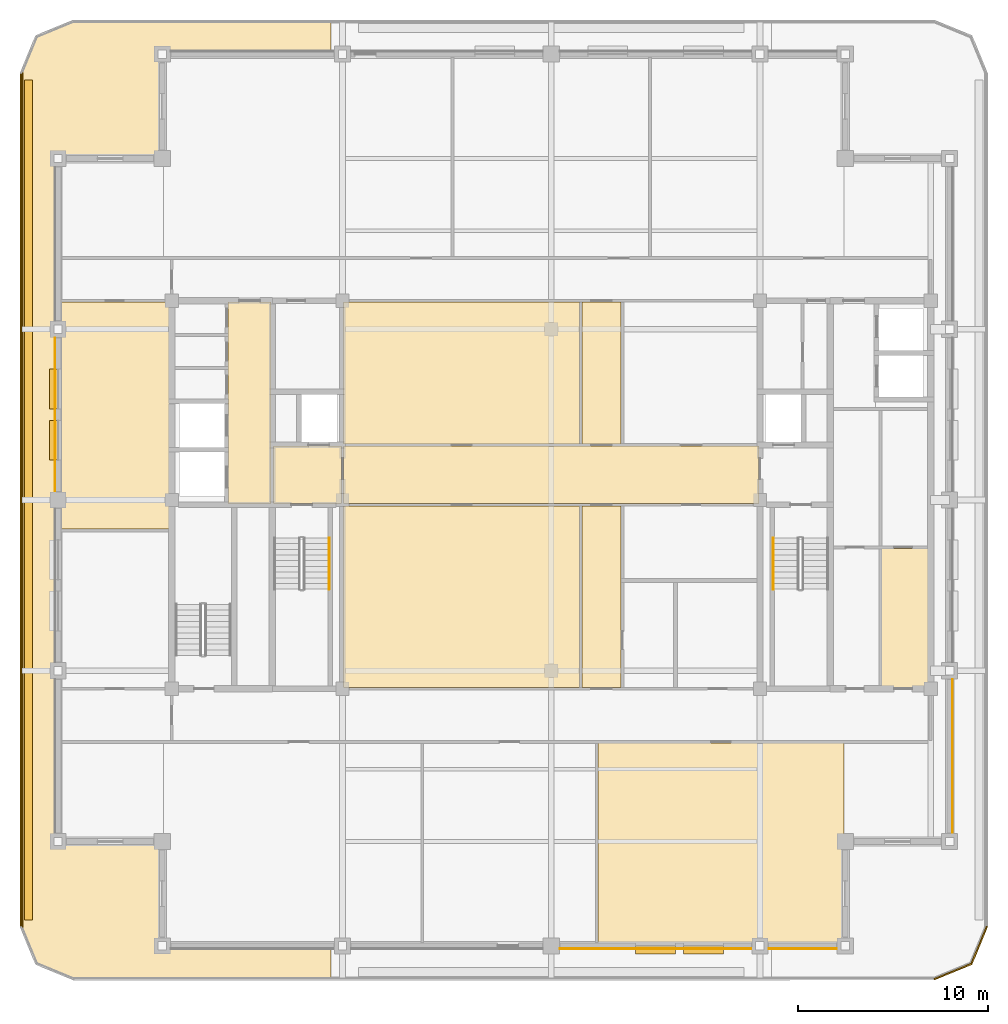
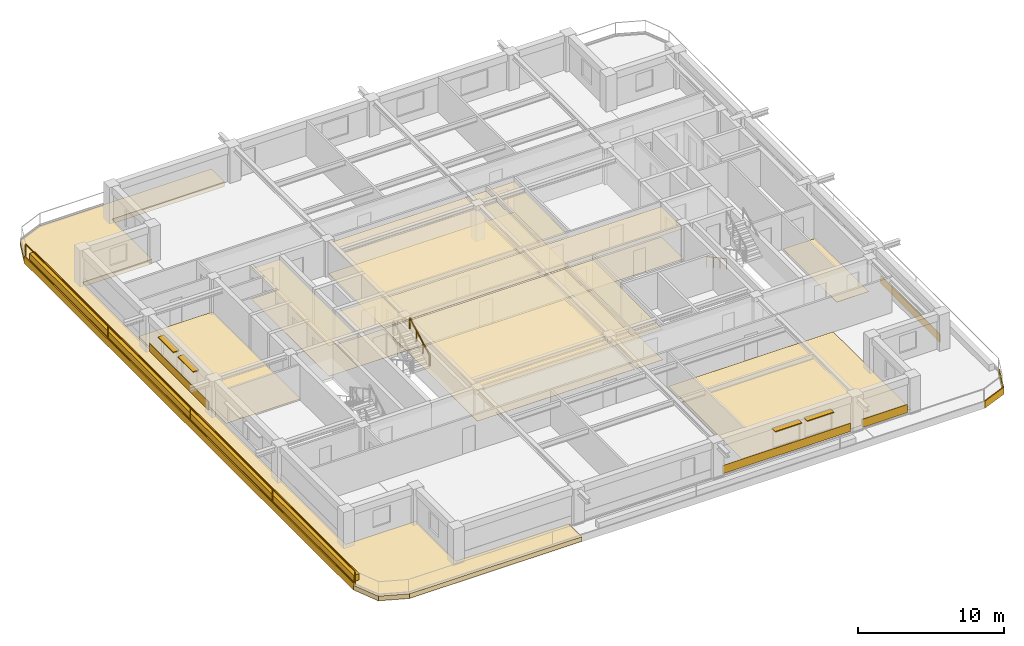
# One storey, part 9 of 11: 26 coverings, 4 shading devices, 3 railings.
"""IFC4 building model written with IfcOpenShell, lengths in metres."""

from ifc_helpers import new_model, si_unit, direction, frame, frame_2d, origin, origin_2d, place, context, subcontext, project, spatial, polyline, rectangle, outline, extrude, material, layer, layer_set, type_object, element, save


model = new_model("IFC4")

# Units and contexts
model_context = context("Model", 3, precision=1e-05, world=origin(), true_north=direction((0.0, 1.0)))
body_context = subcontext(model_context, "Body", "Model", "MODEL_VIEW")
ifc_project = project(units=[si_unit("LENGTHUNIT", "METRE"), si_unit("AREAUNIT", "SQUARE_METRE"), si_unit("VOLUMEUNIT", "CUBIC_METRE"), si_unit("PLANEANGLEUNIT", "RADIAN"), si_unit("MASSUNIT", "GRAM", prefix="KILO")], contexts=[model_context])

# Site, building, storey
site_placement = place(None, origin())
site = spatial("IfcSite", under=ifc_project, at=site_placement, CompositionType="ELEMENT")
building_placement = place(site_placement, origin())
building = spatial("IfcBuilding", under=site, at=building_placement, Name="Zulmaris Gate Convention Tower", CompositionType="ELEMENT")
storey_placement = place(building_placement, frame((0.0, 0.0, 257.659912109375)))
storey = spatial("IfcBuildingStorey", under=building, at=storey_placement, Name="L68", CompositionType="ELEMENT", Elevation=257.659912109375)

# Coverings
ifc_material_1 = material(Name="Precast concrete C40/50", Category="concrete")
ifc_layer_1 = layer(ifc_material_1, 0.0400390625, Name="Precast concrete C40/50")
ifc_layer_set_1 = layer_set([ifc_layer_1], Name="Precast concrete C40/50")
covering_type_1 = type_object("IfcCoveringType", Name="CLAD-SPANDREL-PRECAST", PredefinedType="CLADDING", material=ifc_layer_set_1)
covering_1_placement = place(storey_placement, frame((0.455078125, -23.64990234375, 0.0), z_axis=(0.0, 0.0, 1.0), x_axis=(1.0, 0.0, 0.0)))
element("IfcCovering", 1, at=covering_1_placement, inside=storey, type_object=covering_type_1, Name="CLD-L68-S-2_0", PredefinedType="CLADDING", context=body_context, shape_type="SweptSolid", body=[
    extrude(rectangle(XDim=10.08984375, YDim=0.0400390625, at=frame_2d((5.044921875, 0.0))), origin(), (0.0, 0.0, 1.0), 0.679931640625),
])
covering_2_placement = place(storey_placement, frame((11.455078125, -23.64990234375, 0.0), z_axis=(0.0, 0.0, 1.0), x_axis=(1.0, 0.0, 0.0)))
element("IfcCovering", 2, at=covering_2_placement, inside=storey, type_object=covering_type_1, Name="CLD-L68-S-3_0", PredefinedType="CLADDING", context=body_context, shape_type="SweptSolid", body=[
    extrude(rectangle(XDim=3.58984375, YDim=0.0400390625, at=frame_2d((1.794921875, 0.0))), origin(), (0.0, 0.0, 1.0), 0.679931640625),
])
for number, where, z_axis, x_axis, name in (
    (3, (21.14990234375, -17.544921875, 0.0), (0.0, 0.0, 1.0), (0.0, 1.0, 0.0), "CLD-L68-E-0_0"),
    (4, (-26.14990234375, 8.544921875, 0.0), (0.0, 0.0, 1.0), (0.0, -1.0, 0.0), "CLD-L68-W-2_0"),
):
    element("IfcCovering", number, at=place(storey_placement, frame(where, z_axis=z_axis, x_axis=x_axis)), inside=storey, type_object=covering_type_1, Name=name, PredefinedType="CLADDING", context=body_context, shape_type="SweptSolid", body=[
        extrude(rectangle(XDim=8.08984375, YDim=0.0400390625, at=frame_2d((4.044921875, 0.0))), origin(), (0.0, 0.0, 1.0), 0.679931640625),
    ])
ifc_material_2 = material(Name="White Glazed Architectural Precast Concrete C40/50", Category="concrete")
ifc_layer_2 = layer(ifc_material_2, 0.239990234375, Name="White Glazed Architectural Precast Concrete C40/50")
ifc_layer_set_2 = layer_set([ifc_layer_2], Name="White Glazed Architectural Precast Concrete C40/50")
covering_type_2 = type_object("IfcCoveringType", Name="CLAD-TRAY-DECK", PredefinedType="CLADDING", material=ifc_layer_set_2)
covering_3_placement = place(storey_placement, frame((0.0, 0.0, -0.425048828125)))
element("IfcCovering", 5, at=covering_3_placement, inside=storey, type_object=covering_type_2, Name="L68 West Rounded-Fascia Planter Tray Deck", PredefinedType="CLADDING", context=body_context, shape_type="SweptSolid", body=[
    extrude(outline(polyline([(-28.0, 22.5), (-27.179931640625, 24.47998046875), (-25.199951171875, 25.300048828125), (-11.60205078125, 25.300048828125), (-11.60205078125, 23.5), (-20.5, 23.5), (-20.5, 18.0), (-26.0, 18.0), (-26.0, -18.0), (-20.5, -18.0), (-20.5, -23.5), (-11.60205078125, -23.5), (-11.60205078125, -25.300048828125), (-25.199951171875, -25.300048828125), (-27.179931640625, -24.47998046875), (-28.0, -22.5), (-28.0, 22.5)])), origin(), (0.0, 0.0, 1.0), 0.385009765625),
])
ifc_layer_3 = layer(ifc_material_2, 0.080078125, Name="White Glazed Architectural Precast Concrete C40/50")
ifc_layer_set_3 = layer_set([ifc_layer_3], Name="White Glazed Architectural Precast Concrete C40/50")
covering_type_3 = type_object("IfcCoveringType", Name="CLAD-TRAY-FASCIA", PredefinedType="CLADDING", material=ifc_layer_set_3)
covering_4_placement = place(storey_placement, frame((20.184814453125, -25.262939453125, -0.465087890625), z_axis=(0.0, 0.0, 1.0), x_axis=(0.923873803533, 0.382697263049, 0.0)))
element("IfcCovering", 6, at=covering_4_placement, inside=storey, type_object=covering_type_3, Name="FSC-L68-TR-03", PredefinedType="CLADDING", context=body_context, shape_type="SweptSolid", body=[
    extrude(rectangle(XDim=2.142822265625, YDim=0.080078125, at=frame_2d((1.0712890625, 0.0))), origin(), (0.0, 0.0, 1.0), 0.5849609375),
])
covering_5_placement = place(storey_placement, frame((22.142822265625, -24.464599609375, -0.465087890625), z_axis=(0.0, 0.0, 1.0), x_axis=(0.382656984709, 0.923890487046, 0.0)))
element("IfcCovering", 7, at=covering_5_placement, inside=storey, type_object=covering_type_3, Name="FSC-L68-TR-04", PredefinedType="CLADDING", context=body_context, shape_type="SweptSolid", body=[
    extrude(rectangle(XDim=2.14306640625, YDim=0.080078125, at=frame_2d((1.071533203125, 0.0))), origin(), (0.0, 0.0, 1.0), 0.5849609375),
])
covering_6_placement = place(storey_placement, frame((-27.9599609375, 22.5, -0.465087890625), z_axis=(0.0, 0.0, 1.0), x_axis=(0.0, -1.0, 0.0)))
element("IfcCovering", 8, at=covering_6_placement, inside=storey, type_object=covering_type_3, Name="FSC-L68-TR-11", PredefinedType="CLADDING", context=body_context, shape_type="SweptSolid", body=[
    extrude(rectangle(XDim=45.0, YDim=0.080078125, at=frame_2d((22.5, 0.0))), origin(), (0.0, 0.0, 1.0), 0.5849609375),
])
ifc_material_3 = material(Name="Mineral Fibre Acoustic Ceiling Tile")
ifc_layer_4 = layer(ifc_material_3, 0.02001953125, Name="Mineral Fibre Acoustic Ceiling Tile")
ifc_layer_set_4 = layer_set([ifc_layer_4], Name="Mineral Fibre Acoustic Ceiling Tile")
covering_type_4 = type_object("IfcCoveringType", Name="CLG-ACOUSTIC-600", PredefinedType="CEILING", material=ifc_layer_set_4)
covering_7_placement = place(storey_placement, frame((0.0, 0.0, 2.699951171875)))
element("IfcCovering", 9, at=covering_7_placement, inside=storey, type_object=covering_type_4, Name="CLG-L68-R03", PredefinedType="CEILING", context=body_context, shape_type="SweptSolid", body=[
    extrude(outline(polyline([(-14.639892578125, -0.18994140625), (-11.06005859375, -0.18994140625), (-11.06005859375, 2.840087890625), (-14.639892578125, 2.840087890625), (-14.639892578125, -0.18994140625)])), origin(), (0.0, 0.0, 1.0), 0.02001953125),
])
covering_8_placement = place(storey_placement, frame((0.0, 0.0, 2.5380859375)))
element("IfcCovering", 10, at=covering_8_placement, inside=storey, type_object=covering_type_4, Name="CLG-L68-R18", PredefinedType="CEILING", context=body_context, shape_type="SweptSolid", body=[
    extrude(outline(polyline([(-17.0400390625, -0.18994140625), (-14.760009765625, -0.18994140625), (-14.760009765625, 10.43994140625), (-17.0400390625, 10.43994140625), (-17.0400390625, -0.18994140625)])), origin(), (0.0, 0.0, 1.0), 0.02001953125),
])
covering_9_placement = place(storey_placement, frame((0.0, 0.0, 2.5380859375)))
element("IfcCovering", 11, at=covering_9_placement, inside=storey, type_object=covering_type_4, Name="CLG-L68-R33", PredefinedType="CEILING", context=body_context, shape_type="SweptSolid", body=[
    extrude(outline(polyline([(-10.93994140625, -0.18994140625), (10.93994140625, -0.18994140625), (10.93994140625, 2.840087890625), (-10.93994140625, 2.840087890625), (-10.93994140625, -0.18994140625)])), origin(), (0.0, 0.0, 1.0), 0.02001953125),
])
covering_10_placement = place(storey_placement, frame((0.0, 0.0, 2.5380859375)))
element("IfcCovering", 12, at=covering_10_placement, inside=storey, type_object=covering_type_4, Name="CLG-L68-R34", PredefinedType="CEILING", context=body_context, shape_type="SweptSolid", body=[
    extrude(outline(polyline([(1.610107421875, 2.9599609375), (3.68994140625, 2.9599609375), (3.68994140625, 10.43994140625), (1.610107421875, 10.43994140625), (1.610107421875, 2.9599609375)])), origin(), (0.0, 0.0, 1.0), 0.02001953125),
])
covering_11_placement = place(storey_placement, frame((0.0, 0.0, 2.5380859375)))
element("IfcCovering", 13, at=covering_11_placement, inside=storey, type_object=covering_type_4, Name="CLG-L68-R35", PredefinedType="CEILING", context=body_context, shape_type="SweptSolid", body=[
    extrude(outline(polyline([(1.610107421875, -9.889892578125), (3.68994140625, -9.889892578125), (3.68994140625, -0.31005859375), (1.610107421875, -0.31005859375), (1.610107421875, -9.889892578125)])), origin(), (0.0, 0.0, 1.0), 0.02001953125),
])
covering_12_placement = place(storey_placement, frame((0.0, 0.0, 2.5380859375)))
element("IfcCovering", 14, at=covering_12_placement, inside=storey, type_object=covering_type_4, Name="CLG-L68-R42", PredefinedType="CEILING", context=body_context, shape_type="SweptSolid", body=[
    extrude(outline(polyline([(-10.93994140625, 2.9599609375), (1.489990234375, 2.9599609375), (1.489990234375, 10.43994140625), (-10.93994140625, 10.43994140625), (-10.93994140625, 2.9599609375)])), origin(), (0.0, 0.0, 1.0), 0.02001953125),
])
covering_13_placement = place(storey_placement, frame((0.0, 0.0, 2.5380859375)))
element("IfcCovering", 15, at=covering_13_placement, inside=storey, type_object=covering_type_4, Name="CLG-L68-R44", PredefinedType="CEILING", context=body_context, shape_type="SweptSolid", body=[
    extrude(outline(polyline([(-10.93994140625, -9.889892578125), (1.489990234375, -9.889892578125), (1.489990234375, -0.31005859375), (-10.93994140625, -0.31005859375), (-10.93994140625, -9.889892578125)])), origin(), (0.0, 0.0, 1.0), 0.02001953125),
])
ifc_material_4 = material(Name="Woven Acoustic Wool Carpet Tile")
ifc_layer_5 = layer(ifc_material_4, 0.02001953125, Name="Woven Acoustic Wool Carpet Tile")
ifc_layer_set_5 = layer_set([ifc_layer_5], Name="Woven Acoustic Wool Carpet Tile")
covering_type_5 = type_object("IfcCoveringType", Name="FLR-CARPET-12", PredefinedType="FLOORING", material=ifc_layer_set_5)
covering_14_placement = place(storey_placement, origin())
element("IfcCovering", 16, at=covering_14_placement, inside=storey, type_object=covering_type_5, Name="FLR-L68-R03", PredefinedType="FLOORING", context=body_context, shape_type="SweptSolid", body=[
    extrude(outline(polyline([(-14.639892578125, -0.18994140625), (-11.06005859375, -0.18994140625), (-11.06005859375, 2.840087890625), (-14.639892578125, 2.840087890625), (-14.639892578125, -0.18994140625)])), origin(), (0.0, 0.0, 1.0), 0.02001953125),
])
covering_15_placement = place(storey_placement, origin())
element("IfcCovering", 17, at=covering_15_placement, inside=storey, type_object=covering_type_5, Name="FLR-L68-R18", PredefinedType="FLOORING", context=body_context, shape_type="SweptSolid", body=[
    extrude(outline(polyline([(-17.0400390625, -0.18994140625), (-14.760009765625, -0.18994140625), (-14.760009765625, 10.43994140625), (-17.0400390625, 10.43994140625), (-17.0400390625, -0.18994140625)])), origin(), (0.0, 0.0, 1.0), 0.02001953125),
])
covering_16_placement = place(storey_placement, origin())
element("IfcCovering", 18, at=covering_16_placement, inside=storey, type_object=covering_type_5, Name="FLR-L68-R27", PredefinedType="FLOORING", context=body_context, shape_type="SweptSolid", body=[
    extrude(outline(polyline([(17.409912109375, -9.889892578125), (19.93994140625, -9.889892578125), (19.93994140625, -2.56005859375), (17.409912109375, -2.56005859375), (17.409912109375, -9.889892578125)])), origin(), (0.0, 0.0, 1.0), 0.02001953125),
])
covering_17_placement = place(storey_placement, origin())
element("IfcCovering", 19, at=covering_17_placement, inside=storey, type_object=covering_type_5, Name="FLR-L68-R33", PredefinedType="FLOORING", context=body_context, shape_type="SweptSolid", body=[
    extrude(outline(polyline([(-10.93994140625, -0.18994140625), (10.93994140625, -0.18994140625), (10.93994140625, 2.840087890625), (-10.93994140625, 2.840087890625), (-10.93994140625, -0.18994140625)])), origin(), (0.0, 0.0, 1.0), 0.02001953125),
])
covering_18_placement = place(storey_placement, origin())
element("IfcCovering", 20, at=covering_18_placement, inside=storey, type_object=covering_type_5, Name="FLR-L68-R34", PredefinedType="FLOORING", context=body_context, shape_type="SweptSolid", body=[
    extrude(outline(polyline([(1.610107421875, 2.9599609375), (3.68994140625, 2.9599609375), (3.68994140625, 10.43994140625), (1.610107421875, 10.43994140625), (1.610107421875, 2.9599609375)])), origin(), (0.0, 0.0, 1.0), 0.02001953125),
])
covering_19_placement = place(storey_placement, origin())
element("IfcCovering", 21, at=covering_19_placement, inside=storey, type_object=covering_type_5, Name="FLR-L68-R35", PredefinedType="FLOORING", context=body_context, shape_type="SweptSolid", body=[
    extrude(outline(polyline([(1.610107421875, -9.889892578125), (3.68994140625, -9.889892578125), (3.68994140625, -0.31005859375), (1.610107421875, -0.31005859375), (1.610107421875, -9.889892578125)])), origin(), (0.0, 0.0, 1.0), 0.02001953125),
])
covering_20_placement = place(storey_placement, origin())
element("IfcCovering", 22, at=covering_20_placement, inside=storey, type_object=covering_type_5, Name="FLR-L68-R41", PredefinedType="FLOORING", context=body_context, shape_type="SweptSolid", body=[
    extrude(outline(polyline([(2.4599609375, -23.43994140625), (15.43994140625, -23.43994140625), (15.43994140625, -12.81005859375), (2.4599609375, -12.81005859375), (2.4599609375, -23.43994140625)])), origin(), (0.0, 0.0, 1.0), 0.02001953125),
])
covering_21_placement = place(storey_placement, origin())
element("IfcCovering", 23, at=covering_21_placement, inside=storey, type_object=covering_type_5, Name="FLR-L68-R44", PredefinedType="FLOORING", context=body_context, shape_type="SweptSolid", body=[
    extrude(outline(polyline([(-10.93994140625, -9.889892578125), (1.489990234375, -9.889892578125), (1.489990234375, -0.31005859375), (-10.93994140625, -0.31005859375), (-10.93994140625, -9.889892578125)])), origin(), (0.0, 0.0, 1.0), 0.02001953125),
])
covering_22_placement = place(storey_placement, origin())
element("IfcCovering", 24, at=covering_22_placement, inside=storey, type_object=covering_type_5, Name="FLR-L68-R50", PredefinedType="FLOORING", context=body_context, shape_type="SweptSolid", body=[
    extrude(outline(polyline([(-25.93994140625, -1.5400390625), (-20.06005859375, -1.5400390625), (-20.06005859375, 10.43994140625), (-25.93994140625, 10.43994140625), (-25.93994140625, -1.5400390625)])), origin(), (0.0, 0.0, 1.0), 0.02001953125),
])
ifc_material_5 = material(Name="Polished Granite Terrazzo Tile", Category="masonry")
ifc_layer_6 = layer(ifc_material_5, 0.02001953125, Name="Polished Granite Terrazzo Tile")
ifc_layer_set_6 = layer_set([ifc_layer_6], Name="Polished Granite Terrazzo Tile")
covering_type_6 = type_object("IfcCoveringType", Name="FLR-TERRAZZO-30", PredefinedType="FLOORING", material=ifc_layer_set_6)
covering_23_placement = place(storey_placement, origin())
element("IfcCovering", 25, at=covering_23_placement, inside=storey, type_object=covering_type_6, Name="FLR-L68-R42", PredefinedType="FLOORING", context=body_context, shape_type="SweptSolid", body=[
    extrude(outline(polyline([(-10.93994140625, 2.9599609375), (1.489990234375, 2.9599609375), (1.489990234375, 10.43994140625), (-10.93994140625, 10.43994140625), (-10.93994140625, 2.9599609375)])), origin(), (0.0, 0.0, 1.0), 0.02001953125),
])
ifc_material_6 = material(Name="Botanical Green Glazed Precast Concrete C40/50", Category="concrete")
ifc_layer_7 = layer(ifc_material_6, 0.419921875, Name="Botanical Green Glazed Precast Concrete C40/50")
ifc_layer_set_7 = layer_set([ifc_layer_7], Name="Botanical Green Glazed Precast Concrete C40/50")
covering_type_7 = type_object("IfcCoveringType", Name="PLANTER-BOX-200", PredefinedType="CLADDING", material=ifc_layer_set_7)
covering_24_placement = place(storey_placement, frame((0.0, 0.0, -0.0400390625)))
element("IfcCovering", 26, at=covering_24_placement, inside=storey, type_object=covering_type_7, Name="L68 W Full-Length Balcony Tree Planter Trough", PredefinedType="CLADDING", context=body_context, shape_type="SweptSolid", body=[
    extrude(outline(polyline([(-27.760009765625, -22.14990234375), (-27.340087890625, -22.14990234375), (-27.340087890625, 22.14990234375), (-27.760009765625, 22.14990234375), (-27.760009765625, -22.14990234375)])), origin(), (0.0, 0.0, 1.0), 0.52001953125),
])

# Railings
ifc_material_7 = material(Name="Laminated Glass and Stainless Steel", Category="steel")
railing_type_1 = type_object("IfcRailingType", Name="RL-BALC-1150", PredefinedType="BALUSTRADE", material=ifc_material_7)
railing_1_placement = place(storey_placement, frame((-27.8798828125, 22.5, -0.0400390625)))
element("IfcRailing", 27, at=railing_1_placement, inside=storey, type_object=railing_type_1, Name="RL-L68-BALC-W", PredefinedType="BALUSTRADE", context=body_context, shape_type="SweptSolid", body=[
    extrude(rectangle(XDim=0.048095703125, YDim=0.048095703125, at=origin_2d()), frame((0.0, 0.0, 1.1259765625), z_axis=(0.0, -1.0, 0.0), x_axis=(1.0, 0.0, 0.0)), (0.0, 0.0, 1.0), 45.0),
    extrude(rectangle(XDim=0.048095703125, YDim=0.048095703125, at=origin_2d()), frame((0.0, 0.0, 0.02392578125), z_axis=(0.0, -1.0, 0.0), x_axis=(1.0, 0.0, 0.0)), (0.0, 0.0, 1.0), 45.0),
    extrude(rectangle(XDim=0.0419921875, YDim=0.0419921875, at=origin_2d()), origin(), (0.0, 0.0, 1.0), 1.101806640625),
    extrude(rectangle(XDim=0.0419921875, YDim=0.0419921875, at=origin_2d()), frame((0.0, -11.25, 0.0)), (0.0, 0.0, 1.0), 1.101806640625),
    extrude(rectangle(XDim=0.0419921875, YDim=0.0419921875, at=origin_2d()), frame((0.0, -22.5, 0.0)), (0.0, 0.0, 1.0), 1.101806640625),
    extrude(rectangle(XDim=0.0419921875, YDim=0.0419921875, at=origin_2d()), frame((0.0, -33.75, 0.0)), (0.0, 0.0, 1.0), 1.101806640625),
    extrude(rectangle(XDim=0.0419921875, YDim=0.0419921875, at=origin_2d()), frame((0.0, -45.0, 0.0)), (0.0, 0.0, 1.0), 1.101806640625),
])
ifc_material_8 = material(Name="Brushed Stainless Steel", Category="steel")
railing_type_2 = type_object("IfcRailingType", Name="RL-STH-900", PredefinedType="HANDRAIL", material=ifc_material_8)
railing_2_placement = place(storey_placement, frame((-11.7099609375, -4.699951171875, 1.7763671875)))
element("IfcRailing", 28, at=railing_2_placement, inside=storey, type_object=railing_type_2, Name="L68 ST-1 stair handrail 2", PredefinedType="HANDRAIL", context=body_context, shape_type="SweptSolid", body=[
    extrude(rectangle(XDim=0.048095703125, YDim=0.048095703125, at=origin_2d()), frame((0.0, 0.0, 0.8759765625), z_axis=(0.0, 0.880499220447, 0.474047595492), x_axis=(-1.0, 0.0, 0.0)), (0.0, 0.0, 1.0), 3.06640625),
    extrude(rectangle(XDim=0.0419921875, YDim=0.0419921875, at=origin_2d()), origin(), (0.0, 0.0, 1.0), 0.851806640625),
    extrude(rectangle(XDim=0.0419921875, YDim=0.0419921875, at=origin_2d()), frame((0.0, 0.89990234375, 0.484619140625)), (0.0, 0.0, 1.0), 0.851806640625),
    extrude(rectangle(XDim=0.0419921875, YDim=0.0419921875, at=origin_2d()), frame((0.0, 1.800048828125, 0.968994140625)), (0.0, 0.0, 1.0), 0.851806640625),
    extrude(rectangle(XDim=0.0419921875, YDim=0.0419921875, at=origin_2d()), frame((0.0, 2.699951171875, 1.45361328125)), (0.0, 0.0, 1.0), 0.851806640625),
])
railing_3_placement = place(storey_placement, frame((11.7099609375, -2.0, 0.161376953125)))
element("IfcRailing", 29, at=railing_3_placement, inside=storey, type_object=railing_type_2, Name="L68 ST-2 stair handrail 1", PredefinedType="HANDRAIL", context=body_context, shape_type="SweptSolid", body=[
    extrude(rectangle(XDim=0.048095703125, YDim=0.048095703125, at=origin_2d()), frame((0.0, 0.0, 0.8759765625), z_axis=(0.0, -0.880499220447, 0.474047595492), x_axis=(1.0, 0.0, 0.0)), (0.0, 0.0, 1.0), 3.06640625),
    extrude(rectangle(XDim=0.0419921875, YDim=0.0419921875, at=origin_2d()), origin(), (0.0, 0.0, 1.0), 0.851806640625),
    extrude(rectangle(XDim=0.0419921875, YDim=0.0419921875, at=origin_2d()), frame((0.0, -0.89990234375, 0.484619140625)), (0.0, 0.0, 1.0), 0.851806640625),
    extrude(rectangle(XDim=0.0419921875, YDim=0.0419921875, at=origin_2d()), frame((0.0, -1.800048828125, 0.968994140625)), (0.0, 0.0, 1.0), 0.851806640625),
    extrude(rectangle(XDim=0.0419921875, YDim=0.0419921875, at=origin_2d()), frame((0.0, -2.699951171875, 1.45361328125)), (0.0, 0.0, 1.0), 0.851806640625),
])

# Shading devices
ifc_material_9 = material(Name="Glazed Ceramic Terracotta", Category="masonry")
ifc_layer_8 = layer(ifc_material_9, 0.070068359375, Name="Glazed Ceramic Terracotta")
ifc_layer_set_8 = layer_set([ifc_layer_8], Name="Glazed Ceramic Terracotta")
shading_device_type = type_object("IfcShadingDeviceType", Name="SHD-SUNSHADE-TC", PredefinedType="AWNING", material=ifc_layer_set_8)
for number, where, z_axis, x_axis, name in (
    (30, (4.449951171875, -23.719970703125, 2.22998046875), (0.0, 0.0, 1.0), (1.0, 0.0, 0.0), "SHD-EW-L68-S-2_0-2"),
    (31, (6.972900390625, -23.719970703125, 2.22998046875), (0.0, 0.0, 1.0), (1.0, 0.0, 0.0), "SHD-EW-L68-S-2_0-3"),
):
    element("IfcShadingDevice", number, at=place(storey_placement, frame(where, z_axis=z_axis, x_axis=x_axis)), inside=storey, type_object=shading_device_type, Name=name, PredefinedType="AWNING", context=body_context, shape_type="SweptSolid", body=[
        extrude(rectangle(XDim=2.10009765625, YDim=0.43994140625, at=frame_2d((1.050048828125, 0.0))), origin(), (0.0, 0.0, 1.0), 0.070068359375),
    ])
for number, where, z_axis, x_axis, name in (
    (32, (-26.219970703125, 6.89794921875, 2.22998046875), (0.0, 0.0, 1.0), (0.0, -1.0, 0.0), "SHD-EW-L68-W-2_0-1"),
    (33, (-26.219970703125, 4.201904296875, 2.22998046875), (0.0, 0.0, 1.0), (0.0, -1.0, 0.0), "SHD-EW-L68-W-2_0-2"),
):
    element("IfcShadingDevice", number, at=place(storey_placement, frame(where, z_axis=z_axis, x_axis=x_axis)), inside=storey, type_object=shading_device_type, Name=name, PredefinedType="AWNING", context=body_context, shape_type="SweptSolid", body=[
        extrude(rectangle(XDim=2.099853515625, YDim=0.43994140625, at=frame_2d((1.0498046875, 0.0))), origin(), (0.0, 0.0, 1.0), 0.070068359375),
    ])

save(model, "model.ifc")
